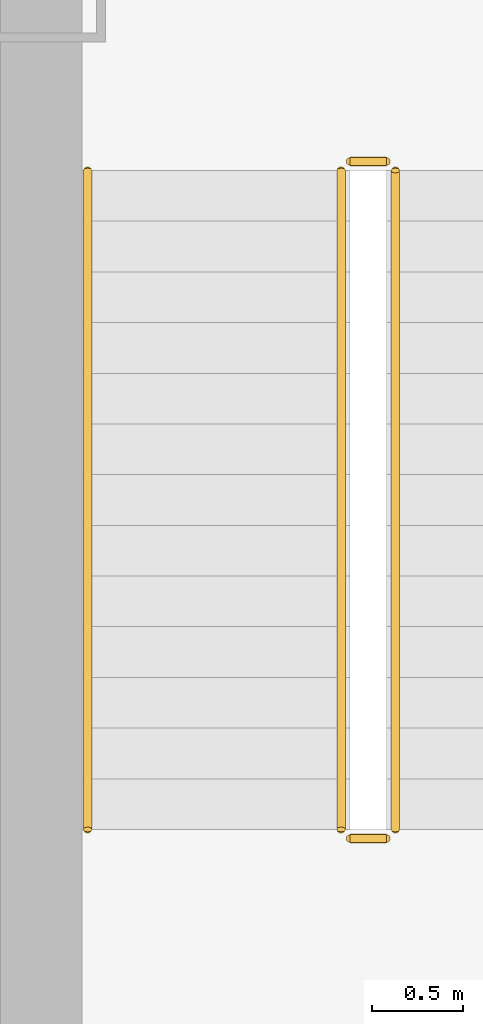
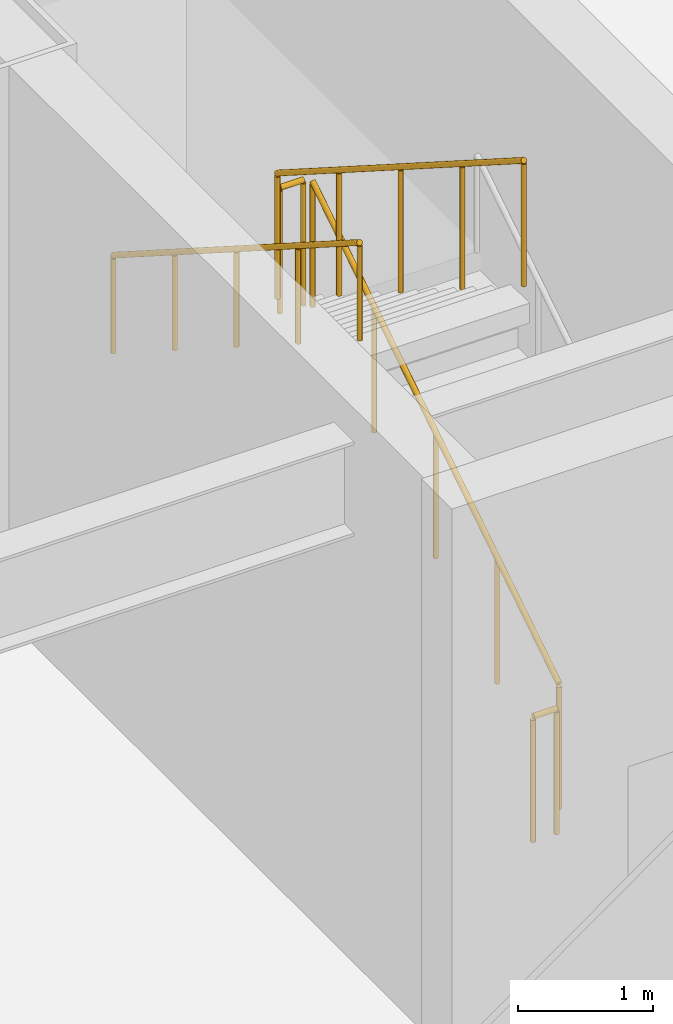
# One storey, part 33 of 39: 5 railings.
"""IFC4 building model written with IfcOpenShell, lengths in metres."""

from ifc_helpers import new_model, si_unit, derived_unit, direction, frame, origin, origin_2d, place, context, subcontext, project, spatial, circle, extrude, material, type_object, element, save


model = new_model("IFC4")

# Units and contexts
model_context = context("Model", 3, precision=1e-05, world=origin(), true_north=direction((0.0, 1.0)))
body_context = subcontext(model_context, "Body", "Model", "MODEL_VIEW")
ifc_project = project(units=[si_unit("LENGTHUNIT", "METRE"), si_unit("AREAUNIT", "SQUARE_METRE"), si_unit("VOLUMEUNIT", "CUBIC_METRE"), si_unit("PLANEANGLEUNIT", "RADIAN"), si_unit("MASSUNIT", "GRAM", prefix="KILO"), derived_unit("THERMALTRANSMITTANCEUNIT", [(si_unit("POWERUNIT", "WATT"), 1), (si_unit("LENGTHUNIT", "METRE"), -2), (si_unit("THERMODYNAMICTEMPERATUREUNIT", "KELVIN"), -1)])], contexts=[model_context])

# Site, building, storey
site_placement = place(None, origin())
site = spatial("IfcSite", under=ifc_project, at=site_placement, CompositionType="ELEMENT")
building_placement = place(site_placement, origin())
building = spatial("IfcBuilding", under=site, at=building_placement, Name="Skarnbrae Concourse Arena and Tower", CompositionType="ELEMENT")
storey_placement = place(building_placement, frame((0.0, 0.0, 11.0)))
storey = spatial("IfcBuildingStorey", under=building, at=storey_placement, Name="L02", CompositionType="ELEMENT", Elevation=11.0)

# Railings
ifc_material = material(Name="Steel CSA G40.21 350W", Category="steel")
railing_type_1 = type_object("IfcRailingType", Name="RAIL-HANDRAIL-900", PredefinedType="HANDRAIL", material=ifc_material)
railing_1_placement = place(storey_placement, frame((61.449951171875, 8.239990234375, 2.678466796875)))
element("IfcRailing", 1, at=railing_1_placement, inside=storey, type_object=railing_type_1, Name="L02 ST-A1 stair handrail 2", PredefinedType="HANDRAIL", context=body_context, shape_type="SweptSolid", body=[
    extrude(circle(Radius=0.02392578125, at=origin_2d()), frame((0.0, 0.0, 0.8759765625), z_axis=(0.0, -0.843111507901, 0.53773877045), x_axis=(1.0, 0.0, 0.0)), (0.0, 0.0, 1.0), 4.317138671875),
    extrude(circle(Radius=0.02099609375, at=origin_2d()), origin(), (0.0, 0.0, 1.0), 0.851806640625),
    extrude(circle(Radius=0.02099609375, at=origin_2d()), frame((0.0, -0.909912109375, 0.580322265625)), (0.0, 0.0, 1.0), 0.851806640625),
    extrude(circle(Radius=0.02099609375, at=origin_2d()), frame((0.0, -1.81982421875, 1.16064453125)), (0.0, 0.0, 1.0), 0.851806640625),
    extrude(circle(Radius=0.02099609375, at=origin_2d()), frame((0.0, -2.72998046875, 1.7412109375)), (0.0, 0.0, 1.0), 0.851806640625),
    extrude(circle(Radius=0.02099609375, at=origin_2d()), frame((0.0, -3.639892578125, 2.321533203125)), (0.0, 0.0, 1.0), 0.851806640625),
])
railing_type_2 = type_object("IfcRailingType", Name="RAIL-STAIR-GUARD-1150", PredefinedType="GUARDRAIL", material=ifc_material)
railing_2_placement = place(storey_placement, frame((63.14990234375, 4.60009765625, 0.178466796875)))
element("IfcRailing", 2, at=railing_2_placement, inside=storey, type_object=railing_type_2, Name="L02 ST-A1 stair guard 1", PredefinedType="GUARDRAIL", context=body_context, shape_type="SweptSolid", body=[
    extrude(circle(Radius=0.02392578125, at=origin_2d()), frame((0.0, 0.0, 1.1259765625), z_axis=(0.0, 0.843111507901, 0.53773877045), x_axis=(-1.0, 0.0, 0.0)), (0.0, 0.0, 1.0), 4.317138671875),
    extrude(circle(Radius=0.02099609375, at=origin_2d()), origin(), (0.0, 0.0, 1.0), 1.101806640625),
    extrude(circle(Radius=0.02099609375, at=origin_2d()), frame((0.0, 0.909912109375, 0.580322265625)), (0.0, 0.0, 1.0), 1.101806640625),
    extrude(circle(Radius=0.02099609375, at=origin_2d()), frame((0.0, 1.81982421875, 1.16064453125)), (0.0, 0.0, 1.0), 1.101806640625),
    extrude(circle(Radius=0.02099609375, at=origin_2d()), frame((0.0, 2.72998046875, 1.7412109375)), (0.0, 0.0, 1.0), 1.101806640625),
    extrude(circle(Radius=0.02099609375, at=origin_2d()), frame((0.0, 3.639892578125, 2.321533203125)), (0.0, 0.0, 1.0), 1.101806640625),
])
railing_3_placement = place(storey_placement, frame((63.10009765625, 8.2900390625, 2.5)))
element("IfcRailing", 3, at=railing_3_placement, inside=storey, type_object=railing_type_2, Name="L02 ST-A1 stair guard 2", PredefinedType="GUARDRAIL", context=body_context, shape_type="SweptSolid", body=[
    extrude(circle(Radius=0.02392578125, at=origin_2d()), frame((0.0, 0.0, 1.1259765625), z_axis=(-1.0, 0.0, 0.0), x_axis=(0.0, -1.0, 0.0)), (0.0, 0.0, 1.0), 0.2001953125),
    extrude(circle(Radius=0.02099609375, at=origin_2d()), origin(), (0.0, 0.0, 1.0), 1.101806640625),
    extrude(circle(Radius=0.02099609375, at=origin_2d()), frame((-0.2001953125, 0.0, 0.0)), (0.0, 0.0, 1.0), 1.101806640625),
])
railing_4_placement = place(storey_placement, frame((62.85009765625, 8.239990234375, 2.678466796875)))
element("IfcRailing", 4, at=railing_4_placement, inside=storey, type_object=railing_type_2, Name="L02 ST-A1 stair guard 3", PredefinedType="GUARDRAIL", context=body_context, shape_type="SweptSolid", body=[
    extrude(circle(Radius=0.02392578125, at=origin_2d()), frame((0.0, 0.0, 1.1259765625), z_axis=(0.0, -0.843111507901, 0.53773877045), x_axis=(1.0, 0.0, 0.0)), (0.0, 0.0, 1.0), 4.317138671875),
    extrude(circle(Radius=0.02099609375, at=origin_2d()), origin(), (0.0, 0.0, 1.0), 1.101806640625),
    extrude(circle(Radius=0.02099609375, at=origin_2d()), frame((0.0, -0.909912109375, 0.580322265625)), (0.0, 0.0, 1.0), 1.101806640625),
    extrude(circle(Radius=0.02099609375, at=origin_2d()), frame((0.0, -1.81982421875, 1.16064453125)), (0.0, 0.0, 1.0), 1.101806640625),
    extrude(circle(Radius=0.02099609375, at=origin_2d()), frame((0.0, -2.72998046875, 1.7412109375)), (0.0, 0.0, 1.0), 1.101806640625),
    extrude(circle(Radius=0.02099609375, at=origin_2d()), frame((0.0, -3.639892578125, 2.321533203125)), (0.0, 0.0, 1.0), 1.101806640625),
])
railing_5_placement = place(storey_placement, frame((63.10009765625, 4.550048828125, 0.0)))
element("IfcRailing", 5, at=railing_5_placement, inside=storey, type_object=railing_type_2, Name="L02 ST-A1 stair guard 4", PredefinedType="GUARDRAIL", context=body_context, shape_type="SweptSolid", body=[
    extrude(circle(Radius=0.02392578125, at=origin_2d()), frame((0.0, 0.0, 1.1259765625), z_axis=(-1.0, 0.0, 0.0), x_axis=(0.0, -1.0, 0.0)), (0.0, 0.0, 1.0), 0.2001953125),
    extrude(circle(Radius=0.02099609375, at=origin_2d()), origin(), (0.0, 0.0, 1.0), 1.101806640625),
    extrude(circle(Radius=0.02099609375, at=origin_2d()), frame((-0.2001953125, 0.0, 0.0)), (0.0, 0.0, 1.0), 1.101806640625),
])

save(model, "model.ifc")
